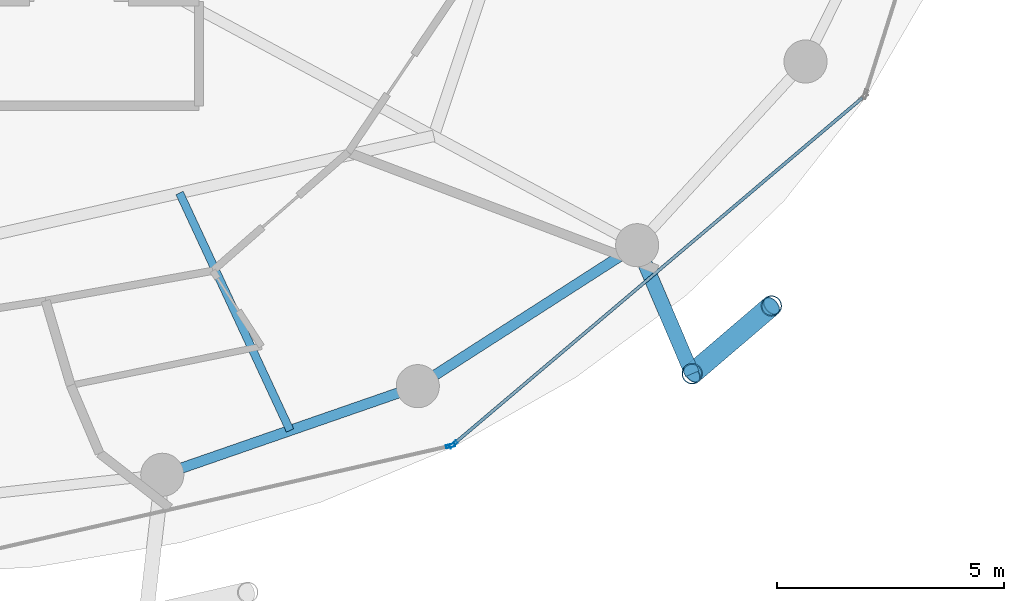
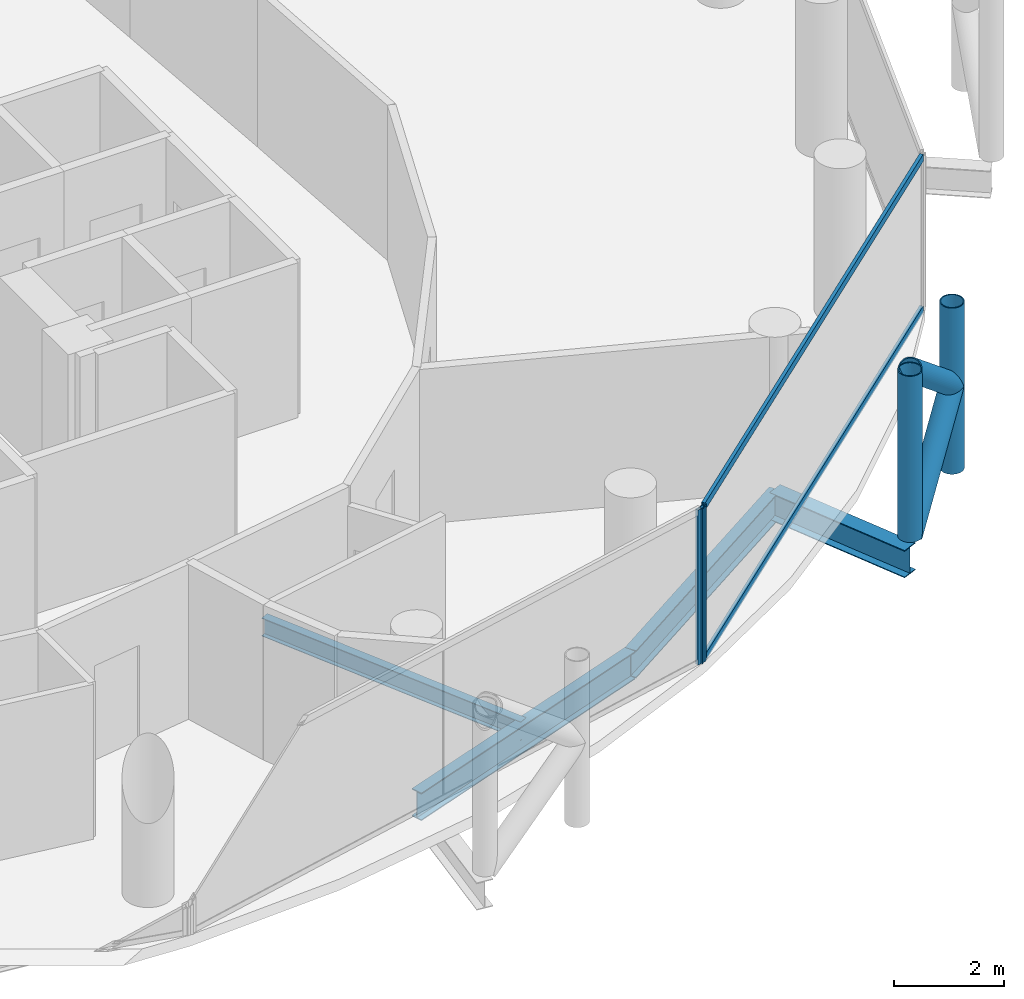
# One storey, part 8 of 26: 8 members, 4 beams, 2 elements without a shape of their own.
"""IFC4 building model written with IfcOpenShell, lengths in metres."""

from ifc_helpers import new_model, si_unit, direction, frame, origin, origin_2d, place, context, subcontext, project, spatial, hollow_rectangle, hollow_circle, i_section, extrude, material, layer, layer_set, material_profile, profile_set, type_object, element, aggregate, save


model = new_model("IFC4")

# Units and contexts
model_context = context("Model", 3, precision=1e-05, world=origin(), true_north=direction((0.0, 1.0)))
body_context = subcontext(model_context, "Body", "Model", "MODEL_VIEW")
ifc_project = project(units=[si_unit("LENGTHUNIT", "METRE"), si_unit("AREAUNIT", "SQUARE_METRE"), si_unit("VOLUMEUNIT", "CUBIC_METRE"), si_unit("PLANEANGLEUNIT", "RADIAN"), si_unit("MASSUNIT", "GRAM", prefix="KILO")], contexts=[model_context])

# Site, building, storey
site_placement = place(None, origin())
site = spatial("IfcSite", under=ifc_project, at=site_placement, CompositionType="ELEMENT")
building_placement = place(site_placement, origin())
building = spatial("IfcBuilding", under=site, at=building_placement, Name="Nuhasar Tower", CompositionType="ELEMENT")
storey_placement = place(building_placement, frame((0.0, 0.0, 144.14990234375)))
storey = spatial("IfcBuildingStorey", under=building, at=storey_placement, Name="L34", CompositionType="ELEMENT", Elevation=144.14990234375)

# Beams
ifc_material_1 = material(Name="Steel S355", Category="steel")
ifc_material_profile_1 = material_profile(ifc_material_1, i_section(OverallWidth=0.177978515625, OverallDepth=0.406005859375, WebThickness=0.0078125, FlangeThickness=0.0126953125, at=origin_2d()), Name="W16X40")
ifc_profile_set_1 = profile_set([ifc_material_profile_1], Name="Steel S355")
beam_type_1 = type_object("IfcBeamType", Name="BM-JST-W16X40", PredefinedType="JOIST", material=ifc_profile_set_1)
beam_1_placement = place(storey_placement, frame((45.424072265625, 14.1279296875, -0.452880859375), z_axis=(0.421729941201, -0.906721487941, 0.0), x_axis=(0.906721487941, 0.421729941201, 0.0)))
element("IfcBeam", 1, at=beam_1_placement, inside=storey, type_object=beam_type_1, Name="L34 Secondary Floor Joist 02", PredefinedType="JOIST", context=body_context, shape_type="SweptSolid", body=[
    extrude(i_section(OverallWidth=0.177978515625, OverallDepth=0.406005859375, WebThickness=0.0078125, FlangeThickness=0.0126953125, at=origin_2d()), origin(), (0.0, 0.0, 1.0), 5.7734375),
])
ifc_material_profile_2 = material_profile(ifc_material_1, i_section(OverallWidth=0.22998046875, OverallDepth=0.616943359375, WebThickness=0.01318359375, FlangeThickness=0.022216796875, at=origin_2d()), Name="W24X94")
ifc_profile_set_2 = profile_set([ifc_material_profile_2], Name="Steel S355")
beam_type_2 = type_object("IfcBeamType", Name="BM-RING-W24X94", PredefinedType="SPANDREL", material=ifc_profile_set_2)
beam_2_placement = place(storey_placement, frame((45.04296875, 7.916015625, -0.558837890625), z_axis=(0.944814057608, 0.327607076458, 0.0), x_axis=(-0.327607076458, 0.944814057608, 0.0)))
element("IfcBeam", 2, at=beam_2_placement, inside=storey, type_object=beam_type_2, Name="L34 Perimeter Ring Spandrel 20", PredefinedType="SPANDREL", context=body_context, shape_type="SweptSolid", body=[
    extrude(i_section(OverallWidth=0.22998046875, OverallDepth=0.616943359375, WebThickness=0.01318359375, FlangeThickness=0.022216796875, at=origin_2d()), origin(), (0.0, 0.0, 1.0), 5.9609375),
])
beam_3_placement = place(storey_placement, frame((50.675048828125, 9.868896484375, -0.558837890625), z_axis=(0.841308170616, 0.540555789955, 0.0), x_axis=(-0.540555789955, 0.841308170616, 0.0)))
element("IfcBeam", 3, at=beam_3_placement, inside=storey, type_object=beam_type_2, Name="L34 Perimeter Ring Spandrel 21", PredefinedType="SPANDREL", context=body_context, shape_type="SweptSolid", body=[
    extrude(i_section(OverallWidth=0.22998046875, OverallDepth=0.616943359375, WebThickness=0.01318359375, FlangeThickness=0.022216796875, at=origin_2d()), origin(), (0.0, 0.0, 1.0), 5.748046875),
])
ifc_material_profile_3 = material_profile(ifc_material_1, i_section(OverallWidth=0.323974609375, OverallDepth=0.611083984375, WebThickness=0.0126953125, FlangeThickness=0.01904296875, at=origin_2d()), Name="W24X104")
ifc_profile_set_3 = profile_set([ifc_material_profile_3], Name="Steel S355")
beam_type_3 = type_object("IfcBeamType", Name="BM-TIE-W24X104", PredefinedType="BEAM", material=ifc_profile_set_3)
beam_4_placement = place(storey_placement, frame((55.510986328125, 12.97607421875, -0.554931640625), z_axis=(0.39330721304, -0.919407111225, 0.0), x_axis=(0.919407111225, 0.39330721304, 0.0)))
element("IfcBeam", 4, at=beam_4_placement, inside=storey, type_object=beam_type_3, Name="L34 Exoskeleton Node Tie Beam 11", PredefinedType="BEAM", context=body_context, shape_type="SweptSolid", body=[
    extrude(i_section(OverallWidth=0.323974609375, OverallDepth=0.611083984375, WebThickness=0.0126953125, FlangeThickness=0.01904296875, at=origin_2d()), origin(), (0.0, 0.0, 1.0), 3.081298828125),
])

# Curtain wall, member
ifc_material_2 = material(Name="Aluminium 6063-T6", Category="aluminium")
ifc_layer = layer(ifc_material_2, 0.199951171875)
ifc_layer_set = layer_set([ifc_layer], Name="Aluminium 6063-T6")
curtain_wall_type = type_object("IfcCurtainWallType", Name="CW-Z2-HTL", PredefinedType="NOTDEFINED", material=ifc_layer_set)
curtain_wall_1_placement = place(storey_placement, origin())
curtain_wall_1 = element("IfcCurtainWall", 5, at=curtain_wall_1_placement, inside=storey, type_object=curtain_wall_type, Name="L34 Unitised Curtain Wall 10", PredefinedType="NOTDEFINED")
ifc_material_profile_4 = material_profile(ifc_material_2, hollow_rectangle(XDim=0.070068359375, YDim=0.199951171875, WallThickness=0.0048828125, at=origin_2d()), Name="CWM-3")
ifc_profile_set_4 = profile_set([ifc_material_profile_4], Name="Aluminium 6063-T6")
member_type_1 = type_object("IfcMemberType", Name="CW-MUL-S3", PredefinedType="MULLION", material=ifc_profile_set_4)
member_1_placement = place(storey_placement, frame((51.395751953125, 8.55419921875, 0.0), z_axis=(0.0, 0.0, 1.0), x_axis=(-0.22139729566, 0.975183694221, 0.0)))
member_1 = element("IfcMember", 6, at=member_1_placement, type_object=member_type_1, Name="CW-Z2 mullion 2", PredefinedType="MULLION", context=body_context, shape_type="SweptSolid", body=[
    extrude(hollow_rectangle(XDim=0.070068359375, YDim=0.199951171875, WallThickness=0.0048828125, at=origin_2d()), origin(), (0.0, 0.0, 1.0), 3.4501953125),
])
aggregate(curtain_wall_1, [member_1])

# Curtain wall, members
curtain_wall_2_placement = place(storey_placement, origin())
curtain_wall_2 = element("IfcCurtainWall", 7, at=curtain_wall_2_placement, inside=storey, type_object=curtain_wall_type, Name="L34 Unitised Curtain Wall 11", PredefinedType="NOTDEFINED")
member_2_placement = place(storey_placement, frame((51.456787109375, 8.584716796875, 0.0), z_axis=(0.0, 0.0, 1.0), x_axis=(-0.646374438324, 0.763020370292, 0.0)))
member_2 = element("IfcMember", 8, at=member_2_placement, type_object=member_type_1, Name="CW-Z2 mullion 1", PredefinedType="MULLION", context=body_context, shape_type="SweptSolid", body=[
    extrude(hollow_rectangle(XDim=0.070068359375, YDim=0.199951171875, WallThickness=0.0048828125, at=origin_2d()), origin(), (0.0, 0.0, 1.0), 3.4501953125),
])
ifc_material_profile_5 = material_profile(ifc_material_2, hollow_rectangle(XDim=0.070068359375, YDim=0.159912109375, WallThickness=0.00439453125, at=origin_2d()), Name="CWT-3")
ifc_profile_set_5 = profile_set([ifc_material_profile_5], Name="Aluminium 6063-T6")
member_type_2 = type_object("IfcMemberType", Name="CW-TRN-S3", PredefinedType="USERDEFINED", material=ifc_profile_set_5)
member_3_placement = place(storey_placement, frame((51.4833984375, 8.607177734375, 0.03515625), z_axis=(0.763013698099, 0.646382314511, 0.0), x_axis=(-0.646382314511, 0.763013698099, 0.0)))
member_3 = element("IfcMember", 9, at=member_3_placement, type_object=member_type_2, Name="CW-Z2 transom 1.1", ObjectType="TRANSOM", PredefinedType="USERDEFINED", context=body_context, shape_type="SweptSolid", body=[
    extrude(hollow_rectangle(XDim=0.070068359375, YDim=0.159912109375, WallThickness=0.00439453125, at=origin_2d()), origin(), (0.0, 0.0, 1.0), 11.78515625),
])
member_4_placement = place(storey_placement, frame((51.4833984375, 8.607177734375, 3.4150390625), z_axis=(0.763013698099, 0.646382314511, 0.0), x_axis=(-0.646382314511, 0.763013698099, 0.0)))
member_4 = element("IfcMember", 10, at=member_4_placement, type_object=member_type_2, Name="CW-Z2 transom 1.2", ObjectType="TRANSOM", PredefinedType="USERDEFINED", context=body_context, shape_type="SweptSolid", body=[
    extrude(hollow_rectangle(XDim=0.070068359375, YDim=0.159912109375, WallThickness=0.00439453125, at=origin_2d()), origin(), (0.0, 0.0, 1.0), 11.78515625),
])
aggregate(curtain_wall_2, [member_2, member_3, member_4])

# Members
ifc_material_3 = material(Name="Steel S460", Category="steel")
ifc_material_profile_6 = material_profile(ifc_material_3, hollow_circle(Radius=0.228515625, WallThickness=0.022216796875, at=origin_2d()), Name="HSS457X22.2")
ifc_profile_set_6 = profile_set([ifc_material_profile_6], Name="Steel S460")
member_type_3 = type_object("IfcMemberType", Name="EXO-BRONZE-457", PredefinedType="BRACE", material=ifc_profile_set_6)
for number, where, z_axis, x_axis, name in (
    (11, (56.722900390625, 10.14306640625, 0.0), (0.0, 0.0, 1.0), (1.0, 0.0, 0.0), "L34 Exoskeleton Chord Column EC-11A"),
    (12, (58.470947265625, 11.637939453125, 0.0), (0.0, 0.0, 1.0), (1.0, 0.0, 0.0), "L34 Exoskeleton Chord Column EC-11B"),
):
    element("IfcMember", number, at=place(storey_placement, frame(where, z_axis=z_axis, x_axis=x_axis)), inside=storey, type_object=member_type_3, Name=name, PredefinedType="BRACE", context=body_context, shape_type="SweptSolid", body=[
        extrude(hollow_circle(Radius=0.228515625, WallThickness=0.022216796875, at=origin_2d()), origin(), (0.0, 0.0, 1.0), 3.7001953125),
    ])
for number, where, z_axis, x_axis, name in (
    (13, (56.722900390625, 10.14306640625, 0.0), (0.592195175458, 0.506426125604, 0.626767463634), (-0.649925557156, 0.7599978751, 0.0), "L34 Bronze Diagrid Brace W1-11"),
    (14, (58.470947265625, 11.637939453125, 1.85009765625), (-0.592195175458, -0.506426125604, 0.626767463634), (0.649925557156, -0.7599978751, 0.0), "L34 Bronze Diagrid Brace W2-11"),
):
    element("IfcMember", number, at=place(storey_placement, frame(where, z_axis=z_axis, x_axis=x_axis)), inside=storey, type_object=member_type_3, Name=name, PredefinedType="BRACE", context=body_context, shape_type="SweptSolid", body=[
        extrude(hollow_circle(Radius=0.228515625, WallThickness=0.022216796875, at=origin_2d()), origin(), (0.0, 0.0, 1.0), 2.951904296875),
    ])

save(model, "model.ifc")
